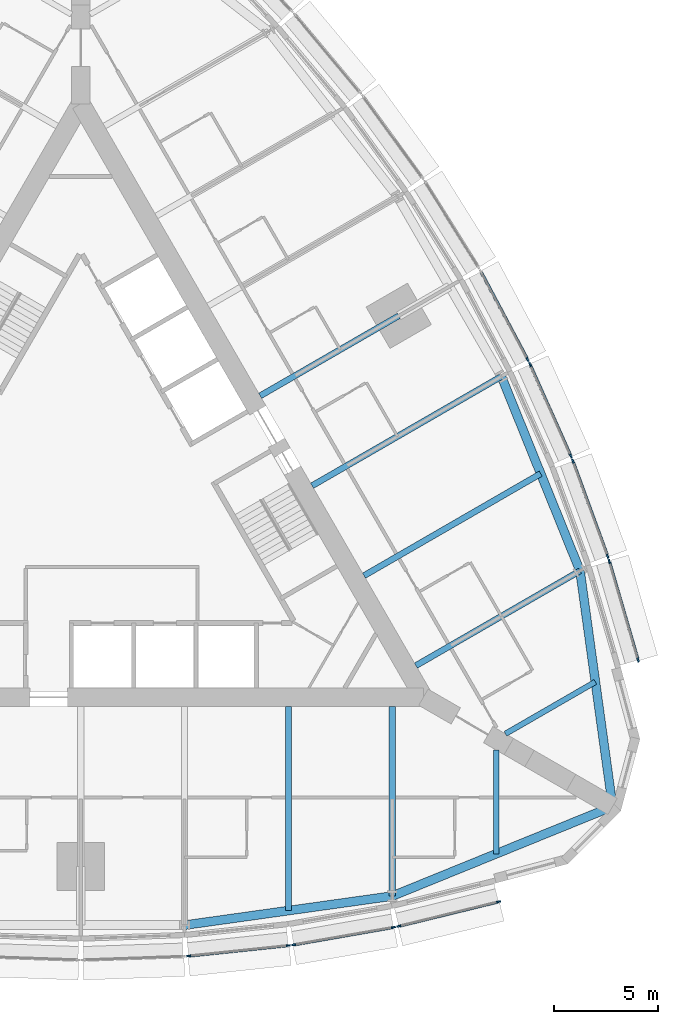
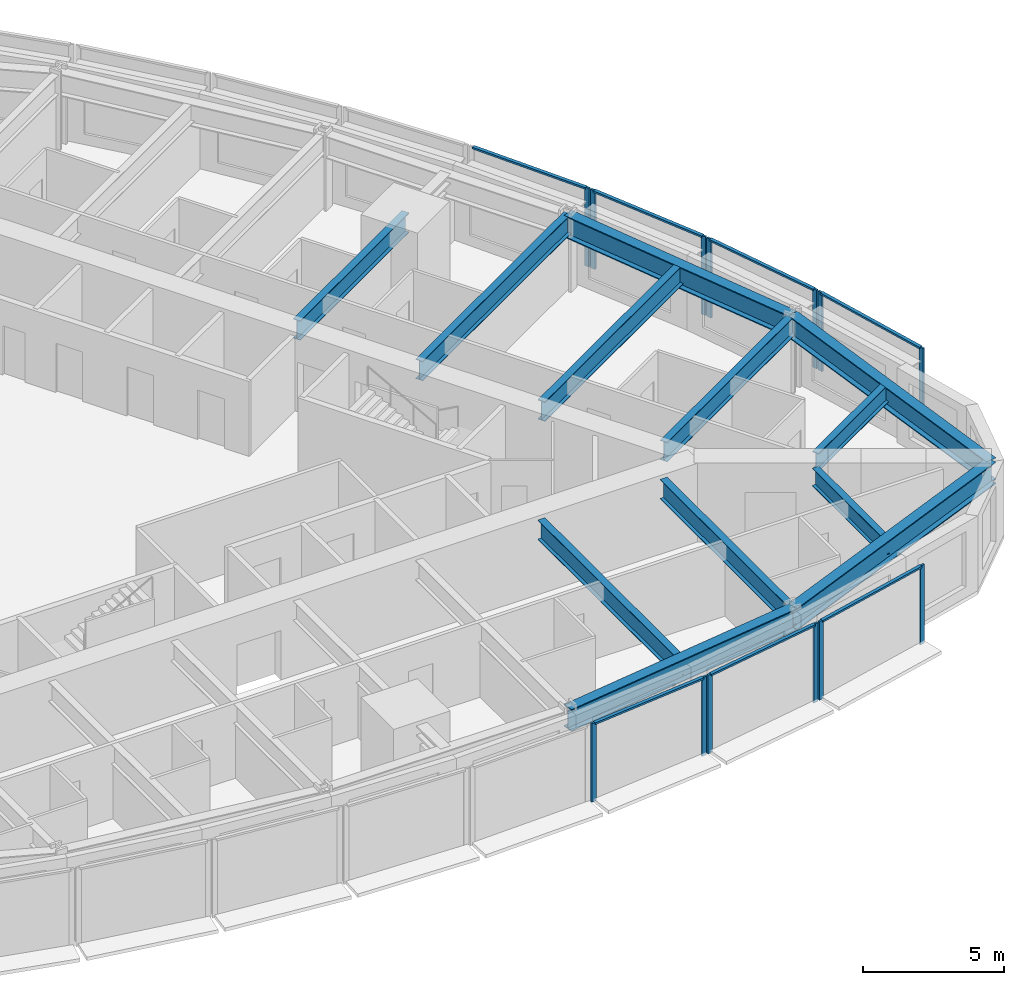
# One storey, part 3 of 14: 20 members, 12 beams, 7 elements without a shape of their own.
"""IFC4 building model written with IfcOpenShell, lengths in metres."""

from ifc_helpers import new_model, si_unit, direction, frame, origin, origin_2d, place, context, subcontext, project, spatial, rectangle, i_section, extrude, material, material_profile, profile_set, type_object, element, aggregate, save


model = new_model("IFC4")

# Units and contexts
model_context = context("Model", 3, precision=1e-05, world=origin(), true_north=direction((0.0, 1.0)))
body_context = subcontext(model_context, "Body", "Model", "MODEL_VIEW")
ifc_project = project(units=[si_unit("LENGTHUNIT", "METRE"), si_unit("AREAUNIT", "SQUARE_METRE"), si_unit("VOLUMEUNIT", "CUBIC_METRE"), si_unit("PLANEANGLEUNIT", "RADIAN"), si_unit("MASSUNIT", "GRAM", prefix="KILO")], contexts=[model_context])

# Site, building, storey
site_placement = place(None, origin())
site = spatial("IfcSite", under=ifc_project, at=site_placement, CompositionType="ELEMENT")
building_placement = place(site_placement, origin())
building = spatial("IfcBuilding", under=site, at=building_placement, Name="Trikona Tower", CompositionType="ELEMENT")
storey_placement = place(building_placement, frame((0.0, 0.0, 121.5)))
storey = spatial("IfcBuildingStorey", under=building, at=storey_placement, Name="L31", CompositionType="ELEMENT", Elevation=121.5)

# Curtain wall, members
ifc_material_1 = material(Name="Aluminium curtain wall system", Category="aluminium")
curtain_wall_type = type_object("IfcCurtainWallType", Name="Curtain wall DS2", PredefinedType="NOTDEFINED", material=ifc_material_1)
curtain_wall_1_placement = place(storey_placement, origin())
curtain_wall_1 = element("IfcCurtainWall", 1, at=curtain_wall_1_placement, inside=storey, type_object=curtain_wall_type, Name="Curtain wall DS2 L31", PredefinedType="NOTDEFINED")
ifc_material_2 = material(Name="Aluminium mullion, pale anodised", Category="aluminium")
ifc_material_profile_1 = material_profile(ifc_material_2, rectangle(XDim=0.080078125, YDim=0.199951171875, at=origin_2d()), Name="MUL-DS2")
ifc_profile_set_1 = profile_set([ifc_material_profile_1], Name="Aluminium mullion, pale anodised")
member_type_1 = type_object("IfcMemberType", Name="Mullion DS2 80x200", PredefinedType="MULLION", material=ifc_profile_set_1)
member_1_placement = place(storey_placement, frame((5.193359375, -21.98486328125, 0.0), z_axis=(0.0, 0.0, 1.0), x_axis=(-0.104433387357, 0.994531883654, 0.0)))
member_1 = element("IfcMember", 2, at=member_1_placement, type_object=member_type_1, Name="CW-DS2 mullion 1", PredefinedType="MULLION", context=body_context, shape_type="SweptSolid", body=[
    extrude(rectangle(XDim=0.080078125, YDim=0.199951171875, at=origin_2d()), origin(), (0.0, 0.0, 1.0), 3.39990234375),
])
member_2_placement = place(storey_placement, frame((9.99462890625, -21.480712890625, 0.0), z_axis=(0.0, 0.0, 1.0), x_axis=(-0.104433387357, 0.994531883654, 0.0)))
member_2 = element("IfcMember", 3, at=member_2_placement, type_object=member_type_1, Name="CW-DS2 mullion 2", PredefinedType="MULLION", context=body_context, shape_type="SweptSolid", body=[
    extrude(rectangle(XDim=0.080078125, YDim=0.199951171875, at=origin_2d()), origin(), (0.0, 0.0, 1.0), 3.39990234375),
])

curtain_wall_2_placement = place(storey_placement, origin())
curtain_wall_2 = element("IfcCurtainWall", 4, at=curtain_wall_2_placement, inside=storey, type_object=curtain_wall_type, Name="Curtain wall DS2 L31", PredefinedType="NOTDEFINED")
member_3_placement = place(storey_placement, frame((10.253662109375, -21.444580078125, 0.0), z_axis=(0.0, 0.0, 1.0), x_axis=(-0.17237739505, 0.985030981074, 0.0)))
member_3 = element("IfcMember", 5, at=member_3_placement, type_object=member_type_1, Name="CW-DS2 mullion 1", PredefinedType="MULLION", context=body_context, shape_type="SweptSolid", body=[
    extrude(rectangle(XDim=0.080078125, YDim=0.199951171875, at=origin_2d()), origin(), (0.0, 0.0, 1.0), 3.39990234375),
])
member_4_placement = place(storey_placement, frame((15.056640625, -20.60400390625, 0.0), z_axis=(0.0, 0.0, 1.0), x_axis=(-0.17237739505, 0.985030981074, 0.0)))
member_4 = element("IfcMember", 6, at=member_4_placement, type_object=member_type_1, Name="CW-DS2 mullion 2", PredefinedType="MULLION", context=body_context, shape_type="SweptSolid", body=[
    extrude(rectangle(XDim=0.080078125, YDim=0.199951171875, at=origin_2d()), origin(), (0.0, 0.0, 1.0), 3.39990234375),
])

curtain_wall_3_placement = place(storey_placement, origin())
curtain_wall_3 = element("IfcCurtainWall", 7, at=curtain_wall_3_placement, inside=storey, type_object=curtain_wall_type, Name="Curtain wall DS2 L31", PredefinedType="NOTDEFINED")
member_5_placement = place(storey_placement, frame((15.311279296875, -20.550537109375, 0.0), z_axis=(0.0, 0.0, 1.0), x_axis=(-0.237970204243, 0.971272455026, 0.0)))
member_5 = element("IfcMember", 8, at=member_5_placement, type_object=member_type_1, Name="CW-DS2 mullion 1", PredefinedType="MULLION", context=body_context, shape_type="SweptSolid", body=[
    extrude(rectangle(XDim=0.080078125, YDim=0.199951171875, at=origin_2d()), origin(), (0.0, 0.0, 1.0), 3.39990234375),
])
member_6_placement = place(storey_placement, frame((20.116943359375, -19.373046875, 0.0), z_axis=(0.0, 0.0, 1.0), x_axis=(-0.237970204243, 0.971272455026, 0.0)))
member_6 = element("IfcMember", 9, at=member_6_placement, type_object=member_type_1, Name="CW-DS2 mullion 2", PredefinedType="MULLION", context=body_context, shape_type="SweptSolid", body=[
    extrude(rectangle(XDim=0.080078125, YDim=0.199951171875, at=origin_2d()), origin(), (0.0, 0.0, 1.0), 3.39990234375),
])

curtain_wall_4_placement = place(storey_placement, origin())
curtain_wall_4 = element("IfcCurtainWall", 10, at=curtain_wall_4_placement, inside=storey, type_object=curtain_wall_type, Name="Curtain wall DS2 L31", PredefinedType="NOTDEFINED")
member_7_placement = place(storey_placement, frame((26.836181640625, -7.7353515625, 0.0), z_axis=(0.0, 0.0, 1.0), x_axis=(-0.96013310152, -0.279543247757, 0.0)))
member_7 = element("IfcMember", 11, at=member_7_placement, type_object=member_type_1, Name="CW-DS2 mullion 1", PredefinedType="MULLION", context=body_context, shape_type="SweptSolid", body=[
    extrude(rectangle(XDim=0.080078125, YDim=0.199951171875, at=origin_2d()), origin(), (0.0, 0.0, 1.0), 3.39990234375),
])
member_8_placement = place(storey_placement, frame((25.452880859375, -2.984619140625, 0.0), z_axis=(0.0, 0.0, 1.0), x_axis=(-0.96013310152, -0.279543247757, 0.0)))
member_8 = element("IfcMember", 12, at=member_8_placement, type_object=member_type_1, Name="CW-DS2 mullion 2", PredefinedType="MULLION", context=body_context, shape_type="SweptSolid", body=[
    extrude(rectangle(XDim=0.080078125, YDim=0.199951171875, at=origin_2d()), origin(), (0.0, 0.0, 1.0), 3.39990234375),
])

curtain_wall_5_placement = place(storey_placement, origin())
curtain_wall_5 = element("IfcCurtainWall", 13, at=curtain_wall_5_placement, inside=storey, type_object=curtain_wall_type, Name="Curtain wall DS2 L31", PredefinedType="NOTDEFINED")
member_9_placement = place(storey_placement, frame((25.371826171875, -2.737548828125, 0.0), z_axis=(0.0, 0.0, 1.0), x_axis=(-0.939253790978, -0.343223420143, 0.0)))
member_9 = element("IfcMember", 14, at=member_9_placement, type_object=member_type_1, Name="CW-DS2 mullion 1", PredefinedType="MULLION", context=body_context, shape_type="SweptSolid", body=[
    extrude(rectangle(XDim=0.080078125, YDim=0.199951171875, at=origin_2d()), origin(), (0.0, 0.0, 1.0), 3.39990234375),
])
member_10_placement = place(storey_placement, frame((23.6982421875, 1.84228515625, 0.0), z_axis=(0.0, 0.0, 1.0), x_axis=(-0.939253790978, -0.343223420143, 0.0)))
member_10 = element("IfcMember", 15, at=member_10_placement, type_object=member_type_1, Name="CW-DS2 mullion 2", PredefinedType="MULLION", context=body_context, shape_type="SweptSolid", body=[
    extrude(rectangle(XDim=0.080078125, YDim=0.199951171875, at=origin_2d()), origin(), (0.0, 0.0, 1.0), 3.39990234375),
])

curtain_wall_6_placement = place(storey_placement, origin())
curtain_wall_6 = element("IfcCurtainWall", 16, at=curtain_wall_6_placement, inside=storey, type_object=curtain_wall_type, Name="Curtain wall DS2 L31", PredefinedType="NOTDEFINED")
member_11_placement = place(storey_placement, frame((23.60009765625, 2.0849609375, 0.0), z_axis=(0.0, 0.0, 1.0), x_axis=(-0.913501208767, -0.406836013132, 0.0)))
member_11 = element("IfcMember", 17, at=member_11_placement, type_object=member_type_1, Name="CW-DS2 mullion 1", PredefinedType="MULLION", context=body_context, shape_type="SweptSolid", body=[
    extrude(rectangle(XDim=0.080078125, YDim=0.199951171875, at=origin_2d()), origin(), (0.0, 0.0, 1.0), 3.39990234375),
])
member_12_placement = place(storey_placement, frame((21.63623046875, 6.494873046875, 0.0), z_axis=(0.0, 0.0, 1.0), x_axis=(-0.913501208767, -0.406836013132, 0.0)))
member_12 = element("IfcMember", 18, at=member_12_placement, type_object=member_type_1, Name="CW-DS2 mullion 2", PredefinedType="MULLION", context=body_context, shape_type="SweptSolid", body=[
    extrude(rectangle(XDim=0.080078125, YDim=0.199951171875, at=origin_2d()), origin(), (0.0, 0.0, 1.0), 3.39990234375),
])

# Curtain wall, member
curtain_wall_7_placement = place(storey_placement, origin())
curtain_wall_7 = element("IfcCurtainWall", 19, at=curtain_wall_7_placement, inside=storey, type_object=curtain_wall_type, Name="Curtain wall DS2 L31", PredefinedType="NOTDEFINED")
member_13_placement = place(storey_placement, frame((21.52099609375, 6.730712890625, 0.0), z_axis=(0.0, 0.0, 1.0), x_axis=(-0.882996107343, -0.469380308937, 0.0)))
member_13 = element("IfcMember", 20, at=member_13_placement, type_object=member_type_1, Name="CW-DS2 mullion 1", PredefinedType="MULLION", context=body_context, shape_type="SweptSolid", body=[
    extrude(rectangle(XDim=0.080078125, YDim=0.199951171875, at=origin_2d()), origin(), (0.0, 0.0, 1.0), 3.39990234375),
])

# Beams
ifc_material_3 = material(Name="Steel ASTM A992 Grade 50", Category="steel")
ifc_material_profile_2 = material_profile(ifc_material_3, i_section(OverallWidth=0.2666015625, OverallDepth=0.76953125, WebThickness=0.015625, FlangeThickness=0.025390625, at=origin_2d()), Name="W30X132")
ifc_profile_set_2 = profile_set([ifc_material_profile_2], Name="Steel ASTM A992 Grade 50")
beam_type_1 = type_object("IfcBeamType", Name="Steel beam W30x132 (wedge)", PredefinedType="BEAM", material=ifc_profile_set_2)
beam_1_placement = place(storey_placement, frame((20.0, -12.066650390625, 2.85009765625), z_axis=(0.0, -1.0, 0.0), x_axis=(1.0, 0.0, 0.0)))
element("IfcBeam", 21, at=beam_1_placement, inside=storey, type_object=beam_type_1, Name="Floor beam L32 F1 u20", PredefinedType="BEAM", context=body_context, shape_type="SweptSolid", body=[
    extrude(i_section(OverallWidth=0.2666015625, OverallDepth=0.76953125, WebThickness=0.015625, FlangeThickness=0.025390625, at=origin_2d()), origin(), (0.0, 0.0, 1.0), 5.00048828125),
])
beam_2_placement = place(storey_placement, frame((20.449951171875, -11.287109375, 2.85009765625), z_axis=(0.866038434829, 0.49997742889, 0.0), x_axis=(-0.49997742889, 0.866038434829, 0.0)))
element("IfcBeam", 22, at=beam_2_placement, inside=storey, type_object=beam_type_1, Name="Floor beam L32 F2 u-20", PredefinedType="BEAM", context=body_context, shape_type="SweptSolid", body=[
    extrude(i_section(OverallWidth=0.2666015625, OverallDepth=0.76953125, WebThickness=0.015625, FlangeThickness=0.025390625, at=origin_2d()), origin(), (0.0, 0.0, 1.0), 5.000732421875),
])
ifc_material_4 = material(Name="Steel ASTM A992 Grade 50", Category="steel")
ifc_material_profile_3 = material_profile(ifc_material_4, i_section(OverallWidth=0.2919921875, OverallDepth=0.845703125, WebThickness=0.015380859375, FlangeThickness=0.0244140625, at=origin_2d()), Name="W33X141")
ifc_profile_set_3 = profile_set([ifc_material_profile_3], Name="Steel ASTM A992 Grade 50")
beam_type_2 = type_object("IfcBeamType", Name="Steel beam W33x141 (radial typ)", PredefinedType="BEAM", material=ifc_profile_set_3)
beam_3_placement = place(storey_placement, frame((10.0, -9.976318359375, 2.81201171875), z_axis=(0.0, -1.0, 0.0), x_axis=(1.0, 0.0, 0.0)))
element("IfcBeam", 23, at=beam_3_placement, inside=storey, type_object=beam_type_2, Name="Floor beam L32 F1 u10", PredefinedType="BEAM", context=body_context, shape_type="SweptSolid", body=[
    extrude(i_section(OverallWidth=0.2919921875, OverallDepth=0.845703125, WebThickness=0.015380859375, FlangeThickness=0.0244140625, at=origin_2d()), origin(), (0.0, 0.0, 1.0), 9.823974609375),
])
beam_4_placement = place(storey_placement, frame((15.0, -9.976318359375, 2.81201171875), z_axis=(0.0, -1.0, 0.0), x_axis=(1.0, 0.0, 0.0)))
element("IfcBeam", 24, at=beam_4_placement, inside=storey, type_object=beam_type_2, Name="Floor beam L32 F1 u15", PredefinedType="BEAM", context=body_context, shape_type="SweptSolid", body=[
    extrude(i_section(OverallWidth=0.2919921875, OverallDepth=0.845703125, WebThickness=0.015380859375, FlangeThickness=0.0244140625, at=origin_2d()), origin(), (0.0, 0.0, 1.0), 9.123779296875),
])
beam_5_placement = place(storey_placement, frame((16.1396484375, -8.002197265625, 2.81201171875), z_axis=(0.866024725532, 0.500001174766, 0.0), x_axis=(-0.500001174766, 0.866024725532, 0.0)))
element("IfcBeam", 25, at=beam_5_placement, inside=storey, type_object=beam_type_2, Name="Floor beam L32 F2 u-15", PredefinedType="BEAM", context=body_context, shape_type="SweptSolid", body=[
    extrude(i_section(OverallWidth=0.2919921875, OverallDepth=0.845703125, WebThickness=0.015380859375, FlangeThickness=0.0244140625, at=origin_2d()), origin(), (0.0, 0.0, 1.0), 9.1240234375),
])
beam_6_placement = place(storey_placement, frame((13.6396484375, -3.672119140625, 2.81201171875), z_axis=(0.866020046725, 0.500009278584, 0.0), x_axis=(-0.500009278584, 0.866020046725, 0.0)))
element("IfcBeam", 26, at=beam_6_placement, inside=storey, type_object=beam_type_2, Name="Floor beam L32 F2 u-10", PredefinedType="BEAM", context=body_context, shape_type="SweptSolid", body=[
    extrude(i_section(OverallWidth=0.2919921875, OverallDepth=0.845703125, WebThickness=0.015380859375, FlangeThickness=0.0244140625, at=origin_2d()), origin(), (0.0, 0.0, 1.0), 9.823974609375),
])
beam_7_placement = place(storey_placement, frame((11.1396484375, 0.657958984375, 2.81201171875), z_axis=(0.866026035623, 0.499998905622, 0.0), x_axis=(-0.499998905622, 0.866026035623, 0.0)))
element("IfcBeam", 27, at=beam_7_placement, inside=storey, type_object=beam_type_2, Name="Floor beam L32 F2 u-5", PredefinedType="BEAM", context=body_context, shape_type="SweptSolid", body=[
    extrude(i_section(OverallWidth=0.2919921875, OverallDepth=0.845703125, WebThickness=0.015380859375, FlangeThickness=0.0244140625, at=origin_2d()), origin(), (0.0, 0.0, 1.0), 10.52392578125),
])
beam_8_placement = place(storey_placement, frame((8.6396484375, 4.988037109375, 2.81201171875), z_axis=(0.866017246294, 0.500014128921, 0.0), x_axis=(-0.500014128921, 0.866017246294, 0.0)))
element("IfcBeam", 28, at=beam_8_placement, inside=storey, type_object=beam_type_2, Name="Floor beam L32 F2 u0", PredefinedType="BEAM", context=body_context, shape_type="SweptSolid", body=[
    extrude(i_section(OverallWidth=0.2919921875, OverallDepth=0.845703125, WebThickness=0.015380859375, FlangeThickness=0.0244140625, at=origin_2d()), origin(), (0.0, 0.0, 1.0), 7.704345703125),
])
ifc_material_5 = material(Name="Steel ASTM A992 Grade 50", Category="steel")
ifc_material_profile_4 = material_profile(ifc_material_5, i_section(OverallWidth=0.424072265625, OverallDepth=0.947509765625, WebThickness=0.02392578125, FlangeThickness=0.042724609375, at=origin_2d()), Name="W36X302")
ifc_profile_set_4 = profile_set([ifc_material_profile_4], Name="Steel ASTM A992 Grade 50")
beam_type_3 = type_object("IfcBeamType", Name="Steel beam W36x302 (spandrel)", PredefinedType="SPANDREL", material=ifc_profile_set_4)
beam_9_placement = place(storey_placement, frame((5.0, -20.500244140625, 2.76123046875), z_axis=(0.990339754644, 0.13866207258, 0.0), x_axis=(-0.13866207258, 0.990339754644, 0.0)))
element("IfcBeam", 29, at=beam_9_placement, inside=storey, type_object=beam_type_3, Name="Spandrel beam L32 F1-4", PredefinedType="SPANDREL", context=body_context, shape_type="SweptSolid", body=[
    extrude(i_section(OverallWidth=0.424072265625, OverallDepth=0.947509765625, WebThickness=0.02392578125, FlangeThickness=0.042724609375, at=origin_2d()), origin(), (0.0, 0.0, 1.0), 10.09765625),
])
for number, where, z_axis, x_axis, name in (
    (30, (15.0, -19.10009765625, 2.76123046875), (0.926359695662, 0.376640032728, 0.0), (-0.376640032728, 0.926359695662, 0.0), "Spandrel beam L32 F1-5"),
    (31, (25.6103515625, -14.7861328125, 2.76123046875), (-0.136991535842, 0.990572218017, 0.0), (-0.990572218017, -0.136991535842, 0.0), "Spandrel beam L32 F2-1"),
):
    element("IfcBeam", number, at=place(storey_placement, frame(where, z_axis=z_axis, x_axis=x_axis)), inside=storey, type_object=beam_type_3, Name=name, PredefinedType="SPANDREL", context=body_context, shape_type="SweptSolid", body=[
        extrude(i_section(OverallWidth=0.424072265625, OverallDepth=0.947509765625, WebThickness=0.02392578125, FlangeThickness=0.042724609375, at=origin_2d()), origin(), (0.0, 0.0, 1.0), 11.453857421875),
    ])
beam_10_placement = place(storey_placement, frame((24.041259765625, -3.440185546875, 2.76123046875), z_axis=(-0.375106193787, 0.926981846307, 0.0), x_axis=(-0.926981846307, -0.375106193787, 0.0)))
element("IfcBeam", 32, at=beam_10_placement, inside=storey, type_object=beam_type_3, Name="Spandrel beam L32 F2-2", PredefinedType="SPANDREL", context=body_context, shape_type="SweptSolid", body=[
    extrude(i_section(OverallWidth=0.424072265625, OverallDepth=0.947509765625, WebThickness=0.02392578125, FlangeThickness=0.042724609375, at=origin_2d()), origin(), (0.0, 0.0, 1.0), 10.097412109375),
])

# Member
ifc_material_6 = material(Name="Aluminium transom, pale anodised", Category="aluminium")
ifc_material_profile_5 = material_profile(ifc_material_6, rectangle(XDim=0.139892578125, YDim=0.080078125, at=origin_2d()), Name="TRN-DS2")
ifc_profile_set_5 = profile_set([ifc_material_profile_5], Name="Aluminium transom, pale anodised")
member_type_2 = type_object("IfcMemberType", Name="Transom DS2 80x140", PredefinedType="USERDEFINED", material=ifc_profile_set_5)
member_14_placement = place(storey_placement, frame((5.233154296875, -21.980712890625, 3.360107421875), z_axis=(0.99453106441, 0.104441188822, 0.0), x_axis=(-0.104441188822, 0.99453106441, 0.0)))
member_14 = element("IfcMember", 33, at=member_14_placement, type_object=member_type_2, Name="CW-DS2 transom 1.1", ObjectType="TRANSOM", PredefinedType="USERDEFINED", context=body_context, shape_type="SweptSolid", body=[
    extrude(rectangle(XDim=0.139892578125, YDim=0.080078125, at=origin_2d()), origin(), (0.0, 0.0, 1.0), 4.74755859375),
])

aggregate(curtain_wall_1, [member_1, member_2, member_14])

member_15_placement = place(storey_placement, frame((10.29296875, -21.4375, 3.360107421875), z_axis=(0.98503262804, 0.172367983387, 0.0), x_axis=(-0.172367983387, 0.98503262804, 0.0)))
member_15 = element("IfcMember", 34, at=member_15_placement, type_object=member_type_2, Name="CW-DS2 transom 1.1", ObjectType="TRANSOM", PredefinedType="USERDEFINED", context=body_context, shape_type="SweptSolid", body=[
    extrude(rectangle(XDim=0.139892578125, YDim=0.080078125, at=origin_2d()), origin(), (0.0, 0.0, 1.0), 4.7958984375),
])

aggregate(curtain_wall_2, [member_3, member_4, member_15])

member_16_placement = place(storey_placement, frame((15.35009765625, -20.541015625, 3.360107421875), z_axis=(0.971270583303, 0.237977843528, 0.0), x_axis=(-0.237977843528, 0.971270583303, 0.0)))
member_16 = element("IfcMember", 35, at=member_16_placement, type_object=member_type_2, Name="CW-DS2 transom 1.1", ObjectType="TRANSOM", PredefinedType="USERDEFINED", context=body_context, shape_type="SweptSolid", body=[
    extrude(rectangle(XDim=0.139892578125, YDim=0.080078125, at=origin_2d()), origin(), (0.0, 0.0, 1.0), 4.867919921875),
])

aggregate(curtain_wall_3, [member_5, member_6, member_16])

member_17_placement = place(storey_placement, frame((26.824951171875, -7.69677734375, 3.360107421875), z_axis=(-0.279566628153, 0.960126293996, 0.0), x_axis=(-0.960126293996, -0.279566628153, 0.0)))
member_17 = element("IfcMember", 36, at=member_17_placement, type_object=member_type_2, Name="CW-DS2 transom 1.1", ObjectType="TRANSOM", PredefinedType="USERDEFINED", context=body_context, shape_type="SweptSolid", body=[
    extrude(rectangle(XDim=0.139892578125, YDim=0.080078125, at=origin_2d()), origin(), (0.0, 0.0, 1.0), 4.86767578125),
])

aggregate(curtain_wall_4, [member_7, member_8, member_17])

member_18_placement = place(storey_placement, frame((25.358154296875, -2.699951171875, 3.360107421875), z_axis=(-0.343205907674, 0.939260190223, 0.0), x_axis=(-0.939260190223, -0.343205907674, 0.0)))
member_18 = element("IfcMember", 37, at=member_18_placement, type_object=member_type_2, Name="CW-DS2 transom 1.1", ObjectType="TRANSOM", PredefinedType="USERDEFINED", context=body_context, shape_type="SweptSolid", body=[
    extrude(rectangle(XDim=0.139892578125, YDim=0.080078125, at=origin_2d()), origin(), (0.0, 0.0, 1.0), 4.7958984375),
])

aggregate(curtain_wall_5, [member_9, member_10, member_18])

member_19_placement = place(storey_placement, frame((23.583740234375, 2.12158203125, 3.360107421875), z_axis=(-0.406839769607, 0.913499535778, 0.0), x_axis=(-0.913499535778, -0.406839769607, 0.0)))
member_19 = element("IfcMember", 38, at=member_19_placement, type_object=member_type_2, Name="CW-DS2 transom 1.1", ObjectType="TRANSOM", PredefinedType="USERDEFINED", context=body_context, shape_type="SweptSolid", body=[
    extrude(rectangle(XDim=0.139892578125, YDim=0.080078125, at=origin_2d()), origin(), (0.0, 0.0, 1.0), 4.747314453125),
])

aggregate(curtain_wall_6, [member_11, member_12, member_19])

member_20_placement = place(storey_placement, frame((21.502197265625, 6.76611328125, 3.360107421875), z_axis=(-0.469364343408, 0.883004594063, 0.0), x_axis=(-0.883004594063, -0.469364343408, 0.0)))
member_20 = element("IfcMember", 39, at=member_20_placement, type_object=member_type_2, Name="CW-DS2 transom 1.1", ObjectType="TRANSOM", PredefinedType="USERDEFINED", context=body_context, shape_type="SweptSolid", body=[
    extrude(rectangle(XDim=0.139892578125, YDim=0.080078125, at=origin_2d()), origin(), (0.0, 0.0, 1.0), 4.722900390625),
])

aggregate(curtain_wall_7, [member_13, member_20])

save(model, "model.ifc")
